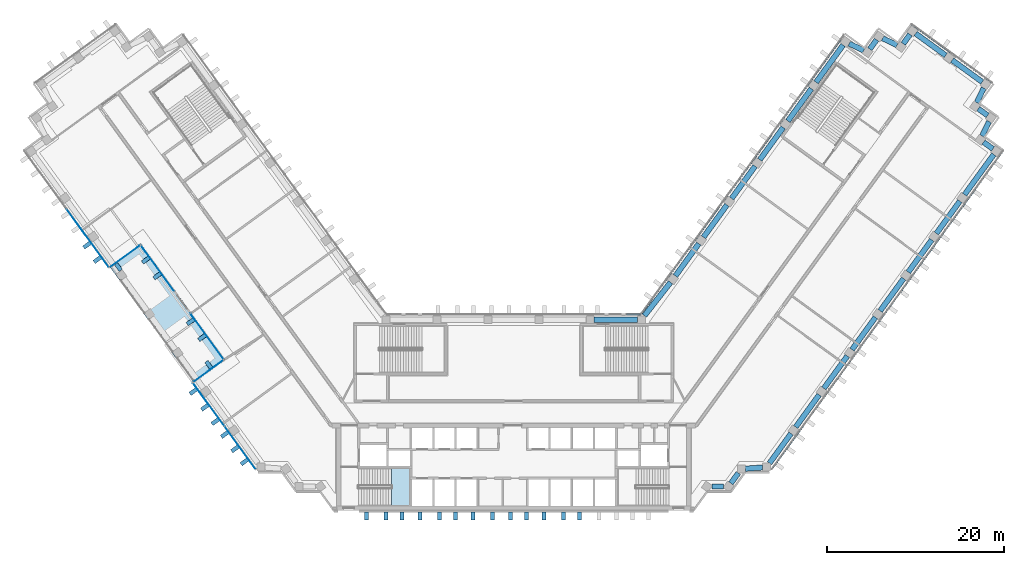
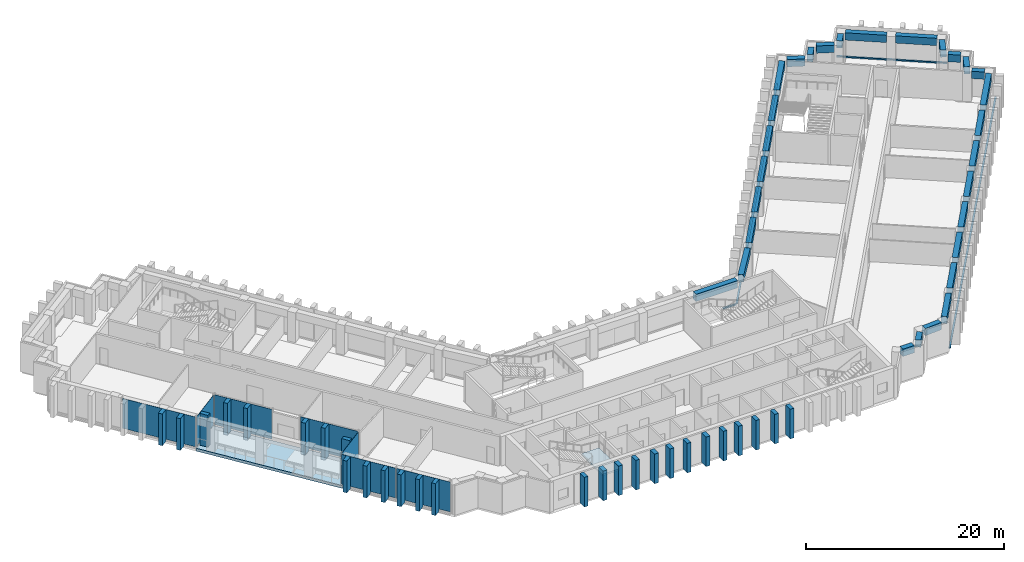
"""IFC4 building model written with IfcOpenShell, lengths in metres."""

from ifc_helpers import new_model, si_unit, direction, frame, origin, origin_2d, place, context, subcontext, project, spatial, polyline, rectangle, outline, extrude, material, layer, layer_set, material_profile, profile_set, type_object, element, aggregate, save


model = new_model("IFC4")

# Units and contexts
model_context = context("Model", 3, precision=1e-05, world=origin(), true_north=direction((0.0, 1.0)))
body_context = subcontext(model_context, "Body", "Model", "MODEL_VIEW")
ifc_project = project(units=[si_unit("LENGTHUNIT", "METRE"), si_unit("AREAUNIT", "SQUARE_METRE"), si_unit("VOLUMEUNIT", "CUBIC_METRE"), si_unit("PLANEANGLEUNIT", "RADIAN"), si_unit("MASSUNIT", "GRAM", prefix="KILO")], contexts=[model_context])

# Site, building, storey
site_placement = place(None, origin())
site = spatial("IfcSite", under=ifc_project, at=site_placement, CompositionType="ELEMENT")
building_placement = place(site_placement, origin())
building = spatial("IfcBuilding", under=site, at=building_placement, Name="Quipu Civic Tower", CompositionType="ELEMENT")
storey_1_placement = place(building_placement, frame((0.0, 0.0, 51.0)))
storey_1 = spatial("IfcBuildingStorey", under=building, at=storey_1_placement, Name="L11", CompositionType="ELEMENT", Elevation=51.0)

# Beams
ifc_material_1 = material(Name="Concrete C50/60", Category="concrete")
ifc_material_profile_1 = material_profile(ifc_material_1, rectangle(XDim=0.60009765625, YDim=0.89990234375, at=origin_2d()), Name="RC600x900")
ifc_profile_set_1 = profile_set([ifc_material_profile_1], Name="Concrete C50/60")
beam_type = type_object("IfcBeamType", Name="Spandrel beam RC 600x900 C50/60", PredefinedType="SPANDREL", material=ifc_profile_set_1)
beam_1_placement = place(storey_1_placement, frame((22.34814453125, -8.31494140625, 3.199951171875), z_axis=(1.0, 0.0, 0.0), x_axis=(0.0, 1.0, 0.0)))
element("IfcBeam", 1, at=beam_1_placement, inside=storey_1, type_object=beam_type, Name="Spandrel beam L11 J-Eo.1 to J-Eo.2", PredefinedType="SPANDREL", context=body_context, shape_type="SweptSolid", body=[
    extrude(rectangle(XDim=0.60009765625, YDim=0.89990234375, at=origin_2d()), origin(), (0.0, 0.0, 1.0), 1.33056640625),
])
beam_2_placement = place(storey_1_placement, frame((24.499755859375, -7.951171875, 3.199951171875), z_axis=(0.588433824377, 0.808545381738, 0.0), x_axis=(-0.808545381738, 0.588433824377, 0.0)))
element("IfcBeam", 2, at=beam_2_placement, inside=storey_1, type_object=beam_type, Name="Spandrel beam L11 J-Eo.2 to J-Eo.3", PredefinedType="SPANDREL", context=body_context, shape_type="SweptSolid", body=[
    extrude(rectangle(XDim=0.60009765625, YDim=0.89990234375, at=origin_2d()), origin(), (0.0, 0.0, 1.0), 1.439697265625),
])
beam_3_placement = place(storey_1_placement, frame((26.12451171875, -6.304443359375, 3.199951171875), z_axis=(0.997365981169, 0.072533437859, 0.0), x_axis=(-0.072533437859, 0.997365981169, 0.0)))
element("IfcBeam", 3, at=beam_3_placement, inside=storey_1, type_object=beam_type, Name="Spandrel beam L11 J-Eo.3 to J-Eo.4", PredefinedType="SPANDREL", context=body_context, shape_type="SweptSolid", body=[
    extrude(rectangle(XDim=0.60009765625, YDim=0.89990234375, at=origin_2d()), origin(), (0.0, 0.0, 1.0), 1.95556640625),
])
beam_4_placement = place(storey_1_placement, frame((28.85205078125, -5.679931640625, 3.199951171875), z_axis=(0.587750565781, 0.809042194464, 0.0), x_axis=(-0.809042194464, 0.587750565781, 0.0)))
element("IfcBeam", 4, at=beam_4_placement, inside=storey_1, type_object=beam_type, Name="Spandrel beam L11 J-Eo.4 to E-OUT-01", PredefinedType="SPANDREL", context=body_context, shape_type="SweptSolid", body=[
    extrude(rectangle(XDim=0.60009765625, YDim=0.89990234375, at=origin_2d()), origin(), (0.0, 0.0, 1.0), 4.13720703125),
])
beam_5_placement = place(storey_1_placement, frame((31.812744140625, -1.604736328125, 3.199951171875), z_axis=(0.587778073121, 0.809022210299, 0.0), x_axis=(-0.809022210299, 0.587778073121, 0.0)))
element("IfcBeam", 5, at=beam_5_placement, inside=storey_1, type_object=beam_type, Name="Spandrel beam L11 E-OUT-01 to E-OUT-02", PredefinedType="SPANDREL", context=body_context, shape_type="SweptSolid", body=[
    extrude(rectangle(XDim=0.60009765625, YDim=0.89990234375, at=origin_2d()), origin(), (0.0, 0.0, 1.0), 4.5),
])
beam_6_placement = place(storey_1_placement, frame((34.98681640625, 2.76416015625, 3.199951171875), z_axis=(0.587803872688, 0.809003465539, 0.0), x_axis=(-0.809003465539, 0.587803872688, 0.0)))
element("IfcBeam", 6, at=beam_6_placement, inside=storey_1, type_object=beam_type, Name="Spandrel beam L11 E-OUT-02 to E-OUT-03", PredefinedType="SPANDREL", context=body_context, shape_type="SweptSolid", body=[
    extrude(rectangle(XDim=0.60009765625, YDim=0.89990234375, at=origin_2d()), origin(), (0.0, 0.0, 1.0), 4.499755859375),
])
for number, where, z_axis, x_axis, name in (
    (7, (38.160888671875, 7.1328125, 3.199951171875), (0.587778073121, 0.809022210299, 0.0), (-0.809022210299, 0.587778073121, 0.0), "Spandrel beam L11 E-OUT-03 to E-OUT-04"),
    (8, (41.3349609375, 11.50146484375, 3.199951171875), (0.587778073121, 0.809022210299, 0.0), (-0.809022210299, 0.587778073121, 0.0), "Spandrel beam L11 E-OUT-04 to E-OUT-05"),
):
    element("IfcBeam", number, at=place(storey_1_placement, frame(where, z_axis=z_axis, x_axis=x_axis)), inside=storey_1, type_object=beam_type, Name=name, PredefinedType="SPANDREL", context=body_context, shape_type="SweptSolid", body=[
        extrude(rectangle(XDim=0.60009765625, YDim=0.89990234375, at=origin_2d()), origin(), (0.0, 0.0, 1.0), 4.5),
    ])
beam_7_placement = place(storey_1_placement, frame((44.5087890625, 15.870361328125, 3.199951171875), z_axis=(0.587803872688, 0.809003465539, 0.0), x_axis=(-0.809003465539, 0.587803872688, 0.0)))
element("IfcBeam", 9, at=beam_7_placement, inside=storey_1, type_object=beam_type, Name="Spandrel beam L11 E-OUT-05 to E-OUT-06", PredefinedType="SPANDREL", context=body_context, shape_type="SweptSolid", body=[
    extrude(rectangle(XDim=0.60009765625, YDim=0.89990234375, at=origin_2d()), origin(), (0.0, 0.0, 1.0), 4.499755859375),
])
beam_8_placement = place(storey_1_placement, frame((47.682861328125, 20.23876953125, 3.199951171875), z_axis=(0.587778073121, 0.809022210299, 0.0), x_axis=(-0.809022210299, 0.587778073121, 0.0)))
element("IfcBeam", 10, at=beam_8_placement, inside=storey_1, type_object=beam_type, Name="Spandrel beam L11 E-OUT-06 to E-OUT-07", PredefinedType="SPANDREL", context=body_context, shape_type="SweptSolid", body=[
    extrude(rectangle(XDim=0.60009765625, YDim=0.89990234375, at=origin_2d()), origin(), (0.0, 0.0, 1.0), 4.5),
])
beam_9_placement = place(storey_1_placement, frame((50.85693359375, 24.607666015625, 3.199951171875), z_axis=(0.587772657145, 0.809026145135, 0.0), x_axis=(-0.809026145135, 0.587772657145, 0.0)))
element("IfcBeam", 11, at=beam_9_placement, inside=storey_1, type_object=beam_type, Name="Spandrel beam L11 E-OUT-07 to T-Eo.0-E50", PredefinedType="SPANDREL", context=body_context, shape_type="SweptSolid", body=[
    extrude(rectangle(XDim=0.60009765625, YDim=0.89990234375, at=origin_2d()), origin(), (0.0, 0.0, 1.0), 5.603271484375),
])
beam_10_placement = place(storey_1_placement, frame((54.051025390625, 29.769775390625, 3.199951171875), z_axis=(-0.808549242423, 0.588428519514, 0.0), x_axis=(-0.588428519514, -0.808549242423, 0.0)))
element("IfcBeam", 12, at=beam_10_placement, inside=storey_1, type_object=beam_type, Name="Spandrel beam L11 T-Eo.0-E50 to T-Eo.1-E50", PredefinedType="SPANDREL", context=body_context, shape_type="SweptSolid", body=[
    extrude(rectangle(XDim=0.60009765625, YDim=0.89990234375, at=origin_2d()), origin(), (0.0, 0.0, 1.0), 1.2998046875),
])
beam_11_placement = place(storey_1_placement, frame((52.83349609375, 31.21240234375, 3.199951171875), z_axis=(0.431446050156, 0.902138739776, 0.0), x_axis=(-0.902138739776, 0.431446050156, 0.0)))
element("IfcBeam", 13, at=beam_11_placement, inside=storey_1, type_object=beam_type, Name="Spandrel beam L11 T-Eo.1-E50 to T-Eo.2-E50", PredefinedType="SPANDREL", context=body_context, shape_type="SweptSolid", body=[
    extrude(rectangle(XDim=0.60009765625, YDim=0.89990234375, at=origin_2d()), origin(), (0.0, 0.0, 1.0), 1.828857421875),
])
beam_12_placement = place(storey_1_placement, frame((53.4560546875, 33.539794921875, 3.199951171875), z_axis=(-0.808509099783, 0.588483674853, 0.0), x_axis=(-0.588483674853, -0.808509099783, 0.0)))
element("IfcBeam", 14, at=beam_12_placement, inside=storey_1, type_object=beam_type, Name="Spandrel beam L11 T-Eo.2-E50 to T-Eo.3-E50", PredefinedType="SPANDREL", context=body_context, shape_type="SweptSolid", body=[
    extrude(rectangle(XDim=0.60009765625, YDim=0.89990234375, at=origin_2d()), origin(), (0.0, 0.0, 1.0), 1.302734375),
])
beam_13_placement = place(storey_1_placement, frame((52.23583984375, 34.984375, 3.199951171875), z_axis=(0.430166558323, 0.902749540072, 0.0), x_axis=(-0.902749540072, 0.430166558323, 0.0)))
element("IfcBeam", 15, at=beam_13_placement, inside=storey_1, type_object=beam_type, Name="Spandrel beam L11 T-Eo.3-E50 to T-Eo.4-E50", PredefinedType="SPANDREL", context=body_context, shape_type="SweptSolid", body=[
    extrude(rectangle(XDim=0.60009765625, YDim=0.89990234375, at=origin_2d()), origin(), (0.0, 0.0, 1.0), 1.830322265625),
])
beam_14_placement = place(storey_1_placement, frame((52.85595703125, 37.314453125, 3.199951171875), z_axis=(-0.808959834407, 0.587863918196, 0.0), x_axis=(-0.587863918196, -0.808959834407, 0.0)))
element("IfcBeam", 16, at=beam_14_placement, inside=storey_1, type_object=beam_type, Name="Spandrel beam L11 T-Eo.4-E50 to TIP-E-01-E50", PredefinedType="SPANDREL", context=body_context, shape_type="SweptSolid", body=[
    extrude(rectangle(XDim=0.60009765625, YDim=0.89990234375, at=origin_2d()), origin(), (0.0, 0.0, 1.0), 4.1982421875),
])
beam_15_placement = place(storey_1_placement, frame((48.731689453125, 40.3115234375, 3.199951171875), z_axis=(-0.808969789945, 0.58785021813, 0.0), x_axis=(-0.58785021813, -0.808969789945, 0.0)))
element("IfcBeam", 17, at=beam_15_placement, inside=storey_1, type_object=beam_type, Name="Spandrel beam L11 TIP-E-01-E50 to T-Ei.0-E50", PredefinedType="SPANDREL", context=body_context, shape_type="SweptSolid", body=[
    extrude(rectangle(XDim=0.60009765625, YDim=0.89990234375, at=origin_2d()), origin(), (0.0, 0.0, 1.0), 4.199951171875),
])
beam_16_placement = place(storey_1_placement, frame((44.705322265625, 42.68115234375, 3.199951171875), z_axis=(-0.588383572423, -0.808581951136, 0.0), x_axis=(0.808581951136, -0.588383572423, 0.0)))
element("IfcBeam", 18, at=beam_16_placement, inside=storey_1, type_object=beam_type, Name="Spandrel beam L11 T-Ei.0-E50 to T-Ei.1-E50", PredefinedType="SPANDREL", context=body_context, shape_type="SweptSolid", body=[
    extrude(rectangle(XDim=0.60009765625, YDim=0.89990234375, at=origin_2d()), origin(), (0.0, 0.0, 1.0), 1.3017578125),
])
beam_17_placement = place(storey_1_placement, frame((43.261474609375, 41.4619140625, 3.199951171875), z_axis=(-0.902613270121, 0.430452418511, 0.0), x_axis=(-0.430452418511, -0.902613270121, 0.0)))
element("IfcBeam", 19, at=beam_17_placement, inside=storey_1, type_object=beam_type, Name="Spandrel beam L11 T-Ei.1-E50 to T-Ei.2-E50", PredefinedType="SPANDREL", context=body_context, shape_type="SweptSolid", body=[
    extrude(rectangle(XDim=0.60009765625, YDim=0.89990234375, at=origin_2d()), origin(), (0.0, 0.0, 1.0), 1.826416015625),
])
beam_18_placement = place(storey_1_placement, frame((40.935302734375, 42.0810546875, 3.199951171875), z_axis=(-0.588461937499, -0.808524921146, 0.0), x_axis=(0.808524921146, -0.588461937499, 0.0)))
element("IfcBeam", 20, at=beam_18_placement, inside=storey_1, type_object=beam_type, Name="Spandrel beam L11 T-Ei.2-E50 to T-Ei.3-E50", PredefinedType="SPANDREL", context=body_context, shape_type="SweptSolid", body=[
    extrude(rectangle(XDim=0.60009765625, YDim=0.89990234375, at=origin_2d()), origin(), (0.0, 0.0, 1.0), 1.30029296875),
])
beam_19_placement = place(storey_1_placement, frame((39.492431640625, 40.863037109375, 3.199951171875), z_axis=(-0.90245397739, 0.430786279601, 0.0), x_axis=(-0.430786279601, -0.90245397739, 0.0)))
element("IfcBeam", 21, at=beam_19_placement, inside=storey_1, type_object=beam_type, Name="Spandrel beam L11 T-Ei.3-E50 to T-Ei.4-E50", PredefinedType="SPANDREL", context=body_context, shape_type="SweptSolid", body=[
    extrude(rectangle(XDim=0.60009765625, YDim=0.89990234375, at=origin_2d()), origin(), (0.0, 0.0, 1.0), 1.83349609375),
])
beam_20_placement = place(storey_1_placement, frame((37.160400390625, 41.48583984375, 3.199951171875), z_axis=(-0.587732861365, -0.80905505602, 0.0), x_axis=(0.80905505602, -0.587732861365, 0.0)))
element("IfcBeam", 22, at=beam_20_placement, inside=storey_1, type_object=beam_type, Name="Spandrel beam L11 T-Ei.4-E50 to E-IN-06", PredefinedType="SPANDREL", context=body_context, shape_type="SweptSolid", body=[
    extrude(rectangle(XDim=0.60009765625, YDim=0.89990234375, at=origin_2d()), origin(), (0.0, 0.0, 1.0), 5.194580078125),
])
for number, where, z_axis, x_axis, name in (
    (23, (33.578369140625, 36.55517578125, 3.199951171875), (-0.587716763865, -0.809066749701, 0.0), (0.809066749701, -0.587716763865, 0.0), "Spandrel beam L11 E-IN-06 to E-IN-05"),
    (24, (30.404541015625, 32.186279296875, 3.199951171875), (-0.587742561851, -0.809048009076, 0.0), (0.809048009076, -0.587742561851, 0.0), "Spandrel beam L11 E-IN-05 to E-IN-04"),
    (25, (27.230712890625, 27.8173828125, 3.199951171875), (-0.587778073121, -0.809022210299, 0.0), (0.809022210299, -0.587778073121, 0.0), "Spandrel beam L11 E-IN-04 to E-IN-03"),
    (26, (24.056884765625, 23.448486328125, 3.199951171875), (-0.587778073121, -0.809022210299, 0.0), (0.809022210299, -0.587778073121, 0.0), "Spandrel beam L11 E-IN-03 to E-IN-02"),
    (27, (20.8828125, 19.079833984375, 3.199951171875), (-0.587716763865, -0.809066749701, 0.0), (0.809066749701, -0.587716763865, 0.0), "Spandrel beam L11 E-IN-02 to E-IN-01"),
):
    element("IfcBeam", number, at=place(storey_1_placement, frame(where, z_axis=z_axis, x_axis=x_axis)), inside=storey_1, type_object=beam_type, Name=name, PredefinedType="SPANDREL", context=body_context, shape_type="SweptSolid", body=[
        extrude(rectangle(XDim=0.60009765625, YDim=0.89990234375, at=origin_2d()), origin(), (0.0, 0.0, 1.0), 4.5),
    ])
beam_21_placement = place(storey_1_placement, frame((17.6962890625, 14.72021484375, 3.199951171875), z_axis=(-0.616123961998, -0.787649200756, 0.0), x_axis=(0.787649200756, -0.616123961998, 0.0)))
element("IfcBeam", 28, at=beam_21_placement, inside=storey_1, type_object=beam_type, Name="Spandrel beam L11 E-IN-01 to J-Ei.0", PredefinedType="SPANDREL", context=body_context, shape_type="SweptSolid", body=[
    extrude(rectangle(XDim=0.60009765625, YDim=0.89990234375, at=origin_2d()), origin(), (0.0, 0.0, 1.0), 4.78662109375),
])
beam_22_placement = place(storey_1_placement, frame((13.9453125, 10.5, 3.199951171875), z_axis=(-1.0, 0.0, 0.0), x_axis=(0.0, -1.0, 0.0)))
element("IfcBeam", 29, at=beam_22_placement, inside=storey_1, type_object=beam_type, Name="Spandrel beam L11 J-Ei.0 to FRONT-01", PredefinedType="SPANDREL", context=body_context, shape_type="SweptSolid", body=[
    extrude(rectangle(XDim=0.60009765625, YDim=0.89990234375, at=origin_2d()), origin(), (0.0, 0.0, 1.0), 4.858154296875),
])

# Storey
storey_2_placement = place(building_placement, frame((0.0, 0.0, 47.0)))
storey_2 = spatial("IfcBuildingStorey", under=building, at=storey_2_placement, Name="L10", CompositionType="ELEMENT", Elevation=47.0)

# Curtain wall, members
ifc_material_2 = material(Name="Insulated glass unit", Category="glass")
curtain_wall_type = type_object("IfcCurtainWallType", Name="Office curtain wall CW1", PredefinedType="NOTDEFINED", material=ifc_material_2)
curtain_wall_1_placement = place(storey_2_placement, origin())
curtain_wall_1 = element("IfcCurtainWall", 30, at=curtain_wall_1_placement, inside=storey_2, type_object=curtain_wall_type, Name="Office curtain wall CW1 L09 run 19", PredefinedType="NOTDEFINED")
ifc_material_3 = material(Name="Anodised aluminium", Category="aluminium")
ifc_material_profile_2 = material_profile(ifc_material_3, rectangle(XDim=0.199951171875, YDim=0.159912109375, at=origin_2d()), Name="RECT 200x160")
ifc_profile_set_2 = profile_set([ifc_material_profile_2], Name="Anodised aluminium")
member_type = type_object("IfcMemberType", Name="Transom CW1", PredefinedType="USERDEFINED", material=ifc_profile_set_2)
member_1_placement = place(storey_1_placement, frame((29.10302734375, -6.35546875, 0.080078125), z_axis=(0.587779179422, 0.809021406539, 0.0), x_axis=(-0.809021406539, 0.587779179422, 0.0)))
member_1 = element("IfcMember", 31, at=member_1_placement, inside=storey_1, type_object=member_type, Name="CW1 transom 1.3", ObjectType="TRANSOM", PredefinedType="USERDEFINED", context=body_context, shape_type="SweptSolid", body=[
    extrude(rectangle(XDim=0.199951171875, YDim=0.159912109375, at=origin_2d()), origin(), (0.0, 0.0, 1.0), 11.02294921875),
])
member_2_placement = place(storey_1_placement, frame((35.62890625, 2.626953125, 0.080078125), z_axis=(0.587795037589, 0.80900988485, 0.0), x_axis=(-0.80900988485, 0.587795037589, 0.0)))
member_2 = element("IfcMember", 32, at=member_2_placement, inside=storey_1, type_object=member_type, Name="CW1 transom 2.3", ObjectType="TRANSOM", PredefinedType="USERDEFINED", context=body_context, shape_type="SweptSolid", body=[
    extrude(rectangle(XDim=0.199951171875, YDim=0.159912109375, at=origin_2d()), origin(), (0.0, 0.0, 1.0), 11.062744140625),
])
member_3_placement = place(storey_1_placement, frame((42.178466796875, 11.6416015625, 0.080078125), z_axis=(0.587795037589, 0.80900988485, 0.0), x_axis=(-0.80900988485, 0.587795037589, 0.0)))
member_3 = element("IfcMember", 33, at=member_3_placement, inside=storey_1, type_object=member_type, Name="CW1 transom 3.3", ObjectType="TRANSOM", PredefinedType="USERDEFINED", context=body_context, shape_type="SweptSolid", body=[
    extrude(rectangle(XDim=0.199951171875, YDim=0.159912109375, at=origin_2d()), origin(), (0.0, 0.0, 1.0), 11.062744140625),
])
member_4_placement = place(storey_1_placement, frame((48.72802734375, 20.65625, 0.080078125), z_axis=(0.587779179422, 0.809021406539, 0.0), x_axis=(-0.809021406539, 0.587779179422, 0.0)))
member_4 = element("IfcMember", 34, at=member_4_placement, inside=storey_1, type_object=member_type, Name="CW1 transom 4.3", ObjectType="TRANSOM", PredefinedType="USERDEFINED", context=body_context, shape_type="SweptSolid", body=[
    extrude(rectangle(XDim=0.199951171875, YDim=0.159912109375, at=origin_2d()), origin(), (0.0, 0.0, 1.0), 11.02294921875),
])
aggregate(curtain_wall_1, [member_1, member_2, member_3, member_4])

# Curtain wall, member
curtain_wall_2_placement = place(storey_2_placement, origin())
curtain_wall_2 = element("IfcCurtainWall", 35, at=curtain_wall_2_placement, inside=storey_2, type_object=curtain_wall_type, Name="Office curtain wall CW1 L09 run 24", PredefinedType="NOTDEFINED")
member_5_placement = place(storey_1_placement, frame((53.994873046875, 37.228515625, 0.080078125), z_axis=(-0.809032792449, 0.587763507495, 0.0), x_axis=(-0.587763507495, -0.809032792449, 0.0)))
member_5 = element("IfcMember", 36, at=member_5_placement, inside=storey_1, type_object=member_type, Name="CW1 transom 1.3", ObjectType="TRANSOM", PredefinedType="USERDEFINED", context=body_context, shape_type="SweptSolid", body=[
    extrude(rectangle(XDim=0.199951171875, YDim=0.159912109375, at=origin_2d()), origin(), (0.0, 0.0, 1.0), 11.239990234375),
])
aggregate(curtain_wall_2, [member_5])

# Curtain wall, members
curtain_wall_3_placement = place(storey_2_placement, origin())
curtain_wall_3 = element("IfcCurtainWall", 37, at=curtain_wall_3_placement, inside=storey_2, type_object=curtain_wall_type, Name="Office curtain wall CW1 L09 run 29", PredefinedType="NOTDEFINED")
member_6_placement = place(storey_1_placement, frame((37.246826171875, 42.622802734375, 0.080078125), z_axis=(-0.587775627857, -0.809023986849, 0.0), x_axis=(0.809023986849, -0.587775627857, 0.0)))
member_6 = element("IfcMember", 38, at=member_6_placement, inside=storey_1, type_object=member_type, Name="CW1 transom 1.3", ObjectType="TRANSOM", PredefinedType="USERDEFINED", context=body_context, shape_type="SweptSolid", body=[
    extrude(rectangle(XDim=0.199951171875, YDim=0.159912109375, at=origin_2d()), origin(), (0.0, 0.0, 1.0), 9.64111328125),
])
member_7_placement = place(storey_1_placement, frame((31.532958984375, 34.75830078125, 0.080078125), z_axis=(-0.58778177227, -0.809019522748, 0.0), x_axis=(0.809019522748, -0.58778177227, 0.0)))
member_7 = element("IfcMember", 39, at=member_7_placement, inside=storey_1, type_object=member_type, Name="CW1 transom 2.3", ObjectType="TRANSOM", PredefinedType="USERDEFINED", context=body_context, shape_type="SweptSolid", body=[
    extrude(rectangle(XDim=0.199951171875, YDim=0.159912109375, at=origin_2d()), origin(), (0.0, 0.0, 1.0), 9.68115234375),
])
member_8_placement = place(storey_1_placement, frame((25.795654296875, 26.861328125, 0.080078125), z_axis=(-0.587793764301, -0.80901080997, 0.0), x_axis=(0.80901080997, -0.587793764301, 0.0)))
member_8 = element("IfcMember", 40, at=member_8_placement, inside=storey_1, type_object=member_type, Name="CW1 transom 3.3", ObjectType="TRANSOM", PredefinedType="USERDEFINED", context=body_context, shape_type="SweptSolid", body=[
    extrude(rectangle(XDim=0.199951171875, YDim=0.159912109375, at=origin_2d()), origin(), (0.0, 0.0, 1.0), 9.680908203125),
])
member_9_placement = place(storey_1_placement, frame((20.05810546875, 18.964599609375, 0.080078125), z_axis=(-0.58779220199, -0.809011945079, 0.0), x_axis=(0.809011945079, -0.58779220199, 0.0)))
member_9 = element("IfcMember", 41, at=member_9_placement, inside=storey_1, type_object=member_type, Name="CW1 transom 4.3", ObjectType="TRANSOM", PredefinedType="USERDEFINED", context=body_context, shape_type="SweptSolid", body=[
    extrude(rectangle(XDim=0.199951171875, YDim=0.159912109375, at=origin_2d()), origin(), (0.0, 0.0, 1.0), 9.64111328125),
])
aggregate(curtain_wall_3, [member_6, member_7, member_8, member_9])

# Curtain wall, member
curtain_wall_4_placement = place(storey_2_placement, origin())
curtain_wall_4 = element("IfcCurtainWall", 42, at=curtain_wall_4_placement, inside=storey_2, type_object=curtain_wall_type, Name="Office curtain wall CW1 L09 run 30", PredefinedType="NOTDEFINED")
member_10_placement = place(storey_1_placement, frame((14.26416015625, 11.10009765625, 0.080078125), z_axis=(-1.0, 0.0, 0.0), x_axis=(0.0, -1.0, 0.0)))
member_10 = element("IfcMember", 43, at=member_10_placement, inside=storey_1, type_object=member_type, Name="CW1 transom 1.3", ObjectType="TRANSOM", PredefinedType="USERDEFINED", context=body_context, shape_type="SweptSolid", body=[
    extrude(rectangle(XDim=0.199951171875, YDim=0.159912109375, at=origin_2d()), origin(), (0.0, 0.0, 1.0), 1.529052734375),
])
aggregate(curtain_wall_4, [member_10])

# Curtain wall, plate
curtain_wall_5_placement = place(storey_1_placement, origin())
curtain_wall_5 = element("IfcCurtainWall", 44, at=curtain_wall_5_placement, inside=storey_1, type_object=curtain_wall_type, Name="Office curtain wall CW1 L11 run 1", PredefinedType="NOTDEFINED")
ifc_material_4 = material(Name="Insulated glass unit", Category="glass")
ifc_layer_1 = layer(ifc_material_4, 0.028076171875)
ifc_layer_set_1 = layer_set([ifc_layer_1], Name="Insulated glass unit")
plate_type_1 = type_object("IfcPlateType", Name="Glass panel CW1", PredefinedType="CURTAIN_PANEL", material=ifc_layer_set_1)
plate_1_placement = place(storey_1_placement, frame((-48.0361328125, 19.703857421875, 0.240234375), z_axis=(0.0, 0.0, 1.0), x_axis=(0.587785507413, -0.809016809019, 0.0)))
plate_1 = element("IfcPlate", 45, at=plate_1_placement, type_object=plate_type_1, Name="CW1 panel 2.1", PredefinedType="CURTAIN_PANEL", context=body_context, shape_type="SweptSolid", body=[
    extrude(rectangle(XDim=8.080078125, YDim=0.028076171875, at=origin_2d()), origin(), (0.0, 0.0, 1.0), 3.679931640625),
])
aggregate(curtain_wall_5, [plate_1])

curtain_wall_6_placement = place(storey_1_placement, origin())
curtain_wall_6 = element("IfcCurtainWall", 46, at=curtain_wall_6_placement, inside=storey_1, type_object=curtain_wall_type, Name="Office curtain wall CW1 L11 run 2", PredefinedType="NOTDEFINED")
plate_2_placement = place(storey_1_placement, frame((-43.84619140625, 17.655517578125, 0.240234375), z_axis=(0.0, 0.0, 1.0), x_axis=(0.809015939709, 0.587786703913, 0.0)))
plate_2 = element("IfcPlate", 47, at=plate_2_placement, type_object=plate_type_1, Name="CW1 panel 1.1", PredefinedType="CURTAIN_PANEL", context=body_context, shape_type="SweptSolid", body=[
    extrude(rectangle(XDim=4.21142578125, YDim=0.028076171875, at=origin_2d()), origin(), (0.0, 0.0, 1.0), 3.679931640625),
])
aggregate(curtain_wall_6, [plate_2])

curtain_wall_7_placement = place(storey_1_placement, origin())
curtain_wall_7 = element("IfcCurtainWall", 48, at=curtain_wall_7_placement, inside=storey_1, type_object=curtain_wall_type, Name="Office curtain wall CW1 L11 run 3", PredefinedType="NOTDEFINED")
plate_3_placement = place(storey_1_placement, frame((-40.162109375, 16.303466796875, 0.240234375), z_axis=(0.0, 0.0, 1.0), x_axis=(0.587787590606, -0.809015295486, 0.0)))
plate_3 = element("IfcPlate", 49, at=plate_3_placement, type_object=plate_type_1, Name="CW1 panel 1.1", PredefinedType="CURTAIN_PANEL", context=body_context, shape_type="SweptSolid", body=[
    extrude(rectangle(XDim=6.358154296875, YDim=0.028076171875, at=origin_2d()), origin(), (0.0, 0.0, 1.0), 3.679931640625),
])
aggregate(curtain_wall_7, [plate_3])

curtain_wall_8_placement = place(storey_1_placement, origin())
curtain_wall_8 = element("IfcCurtainWall", 50, at=curtain_wall_8_placement, inside=storey_1, type_object=curtain_wall_type, Name="Office curtain wall CW1 L11 run 5", PredefinedType="NOTDEFINED")
plate_4_placement = place(storey_1_placement, frame((-34.589111328125, 8.6328125, 0.240234375), z_axis=(0.0, 0.0, 1.0), x_axis=(0.587783983369, -0.8090179163, 0.0)))
plate_4 = element("IfcPlate", 51, at=plate_4_placement, type_object=plate_type_1, Name="CW1 panel 1.1", PredefinedType="CURTAIN_PANEL", context=body_context, shape_type="SweptSolid", body=[
    extrude(rectangle(XDim=6.35888671875, YDim=0.028076171875, at=origin_2d()), origin(), (0.0, 0.0, 1.0), 3.679931640625),
])
aggregate(curtain_wall_8, [plate_4])

curtain_wall_9_placement = place(storey_1_placement, origin())
curtain_wall_9 = element("IfcCurtainWall", 52, at=curtain_wall_9_placement, inside=storey_1, type_object=curtain_wall_type, Name="Office curtain wall CW1 L11 run 6", PredefinedType="NOTDEFINED")
plate_5_placement = place(storey_1_placement, frame((-34.441650390625, 4.711181640625, 0.240234375), z_axis=(0.0, 0.0, 1.0), x_axis=(-0.809026817687, -0.587771731425, 0.0)))
plate_5 = element("IfcPlate", 53, at=plate_5_placement, type_object=plate_type_1, Name="CW1 panel 1.1", PredefinedType="CURTAIN_PANEL", context=body_context, shape_type="SweptSolid", body=[
    extrude(rectangle(XDim=4.21142578125, YDim=0.028076171875, at=origin_2d()), origin(), (0.0, 0.0, 1.0), 3.679931640625),
])
aggregate(curtain_wall_9, [plate_5])

# Curtain wall, plates
curtain_wall_10_placement = place(storey_1_placement, origin())
curtain_wall_10 = element("IfcCurtainWall", 54, at=curtain_wall_10_placement, inside=storey_1, type_object=curtain_wall_type, Name="Office curtain wall CW1 L11 run 7", PredefinedType="NOTDEFINED")
plate_6_placement = place(storey_1_placement, frame((-34.40966796875, 0.94873046875, 0.240234375), z_axis=(0.0, 0.0, 1.0), x_axis=(0.587786668938, -0.80901596512, 0.0)))
plate_6 = element("IfcPlate", 55, at=plate_6_placement, type_object=plate_type_1, Name="CW1 panel 1.1", PredefinedType="CURTAIN_PANEL", context=body_context, shape_type="SweptSolid", body=[
    extrude(rectangle(XDim=5.965576171875, YDim=0.028076171875, at=origin_2d()), origin(), (0.0, 0.0, 1.0), 3.679931640625),
])
plate_7_placement = place(storey_1_placement, frame((-30.856201171875, -3.9423828125, 0.240234375), z_axis=(0.0, 0.0, 1.0), x_axis=(0.587786668938, -0.80901596512, 0.0)))
plate_7 = element("IfcPlate", 56, at=plate_7_placement, type_object=plate_type_1, Name="CW1 panel 2.1", PredefinedType="CURTAIN_PANEL", context=body_context, shape_type="SweptSolid", body=[
    extrude(rectangle(XDim=5.965576171875, YDim=0.028076171875, at=origin_2d()), origin(), (0.0, 0.0, 1.0), 3.679931640625),
])
aggregate(curtain_wall_10, [plate_6, plate_7])

# Plates
ifc_material_5 = material(Name="Precast concrete C40/50", Category="concrete")
plate_type_2 = type_object("IfcPlateType", Name="Precast fin F1", PredefinedType="SHEET", material=ifc_material_5)
for number, where, z_axis, x_axis, name in (
    (57, (-16.574951171875, -11.637939453125, 0.0), (0.0, 0.0, 1.0), (1.0, 0.0, 0.0), "Precast fin F1 L11.P07.1"),
    (58, (-14.375, -11.637939453125, 0.0), (0.0, 0.0, 1.0), (1.0, 0.0, 0.0), "Precast fin F1 L11.P07.2"),
    (59, (-12.574951171875, -11.637939453125, 0.0), (0.0, 0.0, 1.0), (1.0, 0.0, 0.0), "Precast fin F1 L11.P07.3"),
    (60, (-10.574951171875, -11.637939453125, 0.0), (0.0, 0.0, 1.0), (1.0, 0.0, 0.0), "Precast fin F1 L11.P07.4"),
    (61, (-8.375, -11.637939453125, 0.0), (0.0, 0.0, 1.0), (1.0, 0.0, 0.0), "Precast fin F1 L11.P07.5"),
    (62, (-6.574951171875, -11.637939453125, 0.0), (0.0, 0.0, 1.0), (1.0, 0.0, 0.0), "Precast fin F1 L11.P07.6"),
    (63, (-4.574951171875, -11.637939453125, 0.0), (0.0, 0.0, 1.0), (1.0, 0.0, 0.0), "Precast fin F1 L11.P07.7"),
    (64, (-2.375, -11.637939453125, 0.0), (0.0, 0.0, 1.0), (1.0, 0.0, 0.0), "Precast fin F1 L11.P07.8"),
    (65, (-0.375, -11.637939453125, 0.0), (0.0, 0.0, 1.0), (1.0, 0.0, 0.0), "Precast fin F1 L11.P07.9"),
    (66, (1.425048828125, -11.637939453125, 0.0), (0.0, 0.0, 1.0), (1.0, 0.0, 0.0), "Precast fin F1 L11.P07.10"),
    (67, (3.425048828125, -11.637939453125, 0.0), (0.0, 0.0, 1.0), (1.0, 0.0, 0.0), "Precast fin F1 L11.P07.11"),
    (68, (5.625, -11.637939453125, 0.0), (0.0, 0.0, 1.0), (1.0, 0.0, 0.0), "Precast fin F1 L11.P07.12"),
    (69, (7.425048828125, -11.637939453125, 0.0), (0.0, 0.0, 1.0), (1.0, 0.0, 0.0), "Precast fin F1 L11.P07.13"),
):
    element("IfcPlate", number, at=place(storey_1_placement, frame(where, z_axis=z_axis, x_axis=x_axis)), inside=storey_1, type_object=plate_type_2, Name=name, PredefinedType="SHEET", context=body_context, shape_type="SweptSolid", body=[
        extrude(rectangle(XDim=0.449951171875, YDim=0.89990234375, at=origin_2d()), origin(), (0.0, 0.0, 1.0), 3.64990234375),
    ])
for number, where, z_axis, x_axis, name in (
    (70, (-48.13134765625, 18.899169921875, 0.080078125), (0.0, 0.0, 1.0), (0.587783675566, -0.809018139931, 0.0), "Precast fin F1 L11.1.7"),
    (71, (-46.955810546875, 17.28125, 0.080078125), (0.0, 0.0, 1.0), (0.587783675566, -0.809018139931, 0.0), "Precast fin F1 L11.1.8"),
    (72, (-44.583251953125, 16.440185546875, 0.080078125), (0.0, 0.0, 1.0), (0.809015939709, 0.587786703913, 0.0), "Precast fin F1 L11.2.1"),
    (73, (-41.5087890625, 17.221435546875, 0.080078125), (0.0, 0.0, 1.0), (0.587783675566, -0.809018139931, 0.0), "Precast fin F1 L11.3.1"),
    (74, (-40.2158203125, 15.441650390625, 0.080078125), (0.0, 0.0, 1.0), (0.587783675566, -0.809018139931, 0.0), "Precast fin F1 L11.3.2"),
    (75, (-36.4541015625, 10.26416015625, 0.080078125), (0.0, 0.0, 1.0), (0.587783675566, -0.809018139931, 0.0), "Precast fin F1 L11.5.1"),
    (76, (-35.160888671875, 8.484130859375, 0.080078125), (0.0, 0.0, 1.0), (0.587783675566, -0.809018139931, 0.0), "Precast fin F1 L11.5.2"),
    (77, (-34.39208984375, 5.427001953125, 0.080078125), (0.0, 0.0, 1.0), (-0.809026817687, -0.587771731425, 0.0), "Precast fin F1 L11.6.1"),
    (78, (-36.140625, 2.395263671875, 0.080078125), (0.0, 0.0, 1.0), (0.587787212501, -0.809015570196, 0.0), "Precast fin F1 L11.7.1"),
    (79, (-34.847412109375, 0.615478515625, 0.080078125), (0.0, 0.0, 1.0), (0.587787212501, -0.809015570196, 0.0), "Precast fin F1 L11.7.2"),
    (80, (-33.671875, -1.00244140625, 0.080078125), (0.0, 0.0, 1.0), (0.587787212501, -0.809015570196, 0.0), "Precast fin F1 L11.7.3"),
    (81, (-32.61376953125, -2.458740234375, 0.080078125), (0.0, 0.0, 1.0), (0.587787212501, -0.809015570196, 0.0), "Precast fin F1 L11.7.4"),
    (82, (-31.438232421875, -4.07666015625, 0.080078125), (0.0, 0.0, 1.0), (0.587787212501, -0.809015570196, 0.0), "Precast fin F1 L11.7.5"),
    (83, (-30.380126953125, -5.532958984375, 0.080078125), (0.0, 0.0, 1.0), (0.587787212501, -0.809015570196, 0.0), "Precast fin F1 L11.7.6"),
):
    element("IfcPlate", number, at=place(storey_1_placement, frame(where, z_axis=z_axis, x_axis=x_axis)), inside=storey_1, type_object=plate_type_2, Name=name, PredefinedType="SHEET", context=body_context, shape_type="SweptSolid", body=[
        extrude(rectangle(XDim=0.449951171875, YDim=0.89990234375, at=origin_2d()), origin(), (0.0, 0.0, 1.0), 3.919921875),
    ])

# Stair, slab
ifc_material_6 = material(Name="Concrete C40/50", Category="concrete")
stair_type = type_object("IfcStairType", Name="Half turn stair 2000", PredefinedType="HALF_TURN_STAIR", material=ifc_material_6)
stair_placement = place(storey_1_placement, origin())
stair = element("IfcStair", 84, at=stair_placement, inside=storey_1, type_object=stair_type, Name="Exit stair 1", PredefinedType="HALF_TURN_STAIR")
ifc_material_7 = material(Name="Concrete C40/50", Category="concrete")
ifc_layer_2 = layer(ifc_material_7, 0.199951171875)
ifc_layer_set_2 = layer_set([ifc_layer_2], Name="Concrete C40/50")
slab_type_1 = type_object("IfcSlabType", Name="Stair landing 200", PredefinedType="LANDING", material=ifc_layer_set_2)
slab_1_placement = place(storey_1_placement, frame((0.0, 0.0, 1.800048828125)))
slab_1 = element("IfcSlab", 85, at=slab_1_placement, type_object=slab_type_1, Name="ST-1 landing 1", PredefinedType="LANDING", context=body_context, shape_type="SweptSolid", body=[
    extrude(outline(polyline([(-13.780029296875, -10.5), (-11.699951171875, -10.5), (-11.699951171875, -6.25), (-13.780029296875, -6.25), (-13.780029296875, -10.5)])), origin(), (0.0, 0.0, 1.0), 0.199951171875),
])
aggregate(stair, [slab_1])

# Slab
ifc_material_8 = material(Name="Concrete C40/50", Category="concrete")
ifc_layer_3 = layer(ifc_material_8, 0.35009765625)
ifc_layer_set_3 = layer_set([ifc_layer_3], Name="Concrete C40/50")
slab_type_2 = type_object("IfcSlabType", Name="Terrace slab 350 C40/50", PredefinedType="FLOOR", material=ifc_layer_set_3)
slab_2_placement = place(storey_1_placement, frame((0.0, 0.0, -0.35009765625)))
element("IfcSlab", 86, at=slab_2_placement, inside=storey_1, type_object=slab_type_2, Name="Terrace slab L11", PredefinedType="FLOOR", context=body_context, shape_type="SweptSolid", body=[
    extrude(outline(polyline([(-42.054931640625, 19.080078125), (-32.534912109375, 5.97509765625), (-36.070068359375, 3.405029296875), (-45.590087890625, 16.510009765625), (-42.054931640625, 19.080078125)])), origin(), (0.0, 0.0, 1.0), 0.35009765625),
])

save(model, "model.ifc")
